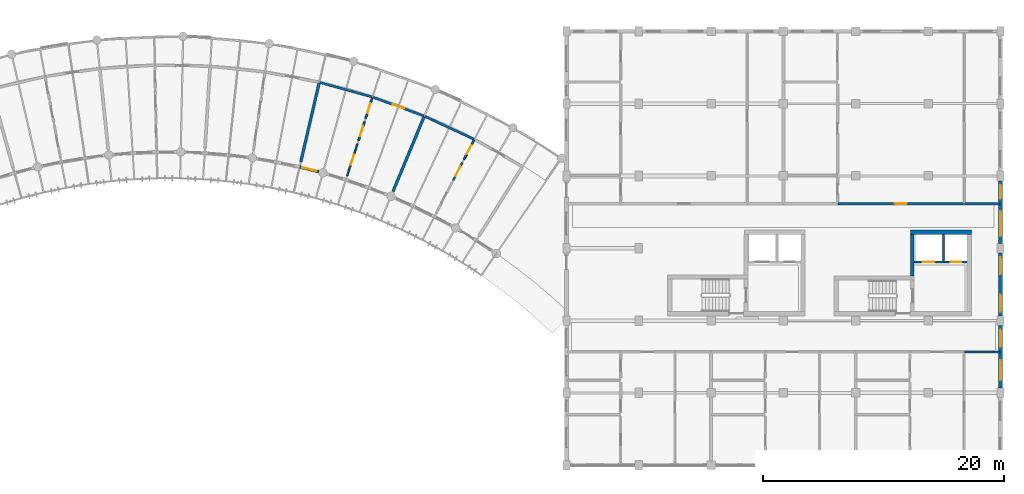
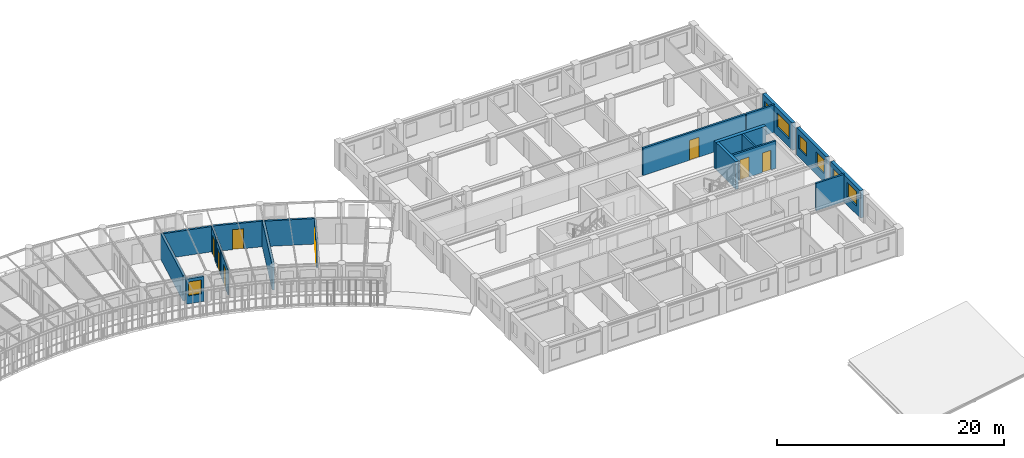
# One storey, part 113 of 137: 21 walls, 9 doors, 7 windows, 16 openings.
"""IFC4 building model written with IfcOpenShell, lengths in metres."""

import ifcopenshell
import ifcopenshell.guid

model = None  # the IFC model being written
_history = None  # IfcOwnerHistory: only IFC2X3 demands one
_inside = {}  # id of a spatial element -> (the spatial element, [elements in it])
_under = {}  # id of a project, library or spatial element -> (it, [spatial elements below it])
_declared = {}  # id of a project -> (the project, [libraries it declares])
_typed = {}  # id of a type object -> (the type object, [elements of that type])
_made_of = {}  # id of a material, layer set ... -> (it, [elements and type objects made of it])


def new_model(schema):
    """Start an empty IFC model of exactly this schema.

    Asked for "IFC4X3", IfcOpenShell would pick the latest addendum, in which some entities
    have other attributes; the version numbers below select the first issue.
    IFC2X3 requires an IfcOwnerHistory on every rooted entity: one is made here for all.
    """
    global model, _history
    if schema == "IFC4X3":
        model = ifcopenshell.file(schema_version=(4, 3, 0, 0))
    else:
        model = ifcopenshell.file(schema=schema)
    _inside.clear()
    _under.clear()
    _declared.clear()
    _typed.clear()
    _made_of.clear()
    _history = None
    if model.schema == "IFC2X3":
        org = make("IfcOrganization", Name="unknown")
        user = make(
            "IfcPersonAndOrganization",
            ThePerson=make("IfcPerson", FamilyName="unknown"),
            TheOrganization=org,
        )
        app = make(
            "IfcApplication",
            ApplicationDeveloper=org,
            Version="unknown",
            ApplicationFullName="unknown",
            ApplicationIdentifier="unknown",
        )
        _history = make(
            "IfcOwnerHistory",
            OwningUser=user,
            OwningApplication=app,
            ChangeAction="ADDED",
            CreationDate=0,
        )
    return model


def make(cls, **values):
    """One entity of the class cls with the attributes given. An attribute that is None is left unset."""
    return model.create_entity(
        cls, **{name: value for name, value in values.items() if value is not None}
    )


def rooted(cls, **values):
    """An entity with a GlobalId (a new one), such as an element, a storey or a relation."""
    return make(cls, GlobalId=ifcopenshell.guid.new(), OwnerHistory=_history, **values)


def si_unit(unit_type, name, prefix=None):
    """IfcSIUnit, for example si_unit("LENGTHUNIT", "METRE", prefix="MILLI")."""
    return make("IfcSIUnit", UnitType=unit_type, Prefix=prefix, Name=name)


def assignment(units):
    """IfcUnitAssignment: the units of a project."""
    return None if units is None else make("IfcUnitAssignment", Units=units)


def point(xyz):
    """IfcCartesianPoint."""
    return None if xyz is None else make("IfcCartesianPoint", Coordinates=xyz)


def direction(xyz):
    """IfcDirection."""
    return None if xyz is None else make("IfcDirection", DirectionRatios=xyz)


def frame(location, z_axis=None, x_axis=None):
    """IfcAxis2Placement3D, a coordinate frame: its origin and axes. An axis left out is left unset."""
    return make(
        "IfcAxis2Placement3D",
        Location=point(location),
        Axis=direction(z_axis),
        RefDirection=direction(x_axis),
    )


def frame_2d(location, x_axis=None):
    """IfcAxis2Placement2D, a coordinate frame in the plane: its origin and x axis."""
    return make(
        "IfcAxis2Placement2D", Location=point(location), RefDirection=direction(x_axis)
    )


def origin():
    """The frame at (0, 0, 0) with its axes left unset."""
    return frame((0.0, 0.0, 0.0))


def place(relative_to, where):
    """IfcLocalPlacement: puts the frame where relative to a parent placement (None: the world)."""
    return make(
        "IfcLocalPlacement", PlacementRelTo=relative_to, RelativePlacement=where
    )


def context(
    kind, dimensions, precision=None, world=None, true_north=None, identifier=None
):
    """IfcGeometricRepresentationContext, for example the 3D "Model" context."""
    return make(
        "IfcGeometricRepresentationContext",
        ContextIdentifier=identifier,
        ContextType=kind,
        CoordinateSpaceDimension=dimensions,
        Precision=precision,
        WorldCoordinateSystem=world,
        TrueNorth=true_north,
    )


def subcontext(parent, identifier, kind, view, scale=None):
    """IfcGeometricRepresentationSubContext, for example "Body" below "Model"."""
    return make(
        "IfcGeometricRepresentationSubContext",
        ContextIdentifier=identifier,
        ContextType=kind,
        ParentContext=parent,
        TargetScale=scale,
        TargetView=view,
    )


def project(units=None, contexts=None):
    """IfcProject with its units and contexts."""
    return rooted(
        "IfcProject",
        Name="project",
        RepresentationContexts=contexts,
        UnitsInContext=assignment(units),
    )


def spatial(cls, under=None, at=None, **own):
    """A site, building, storey or space (cls), placed at a placement, below another one or the project."""
    s = rooted(cls, ObjectPlacement=at, **own)
    if under is not None:
        _under.setdefault(under.id(), (under, []))[1].append(s)
    return s


def profile(cls, at=None, kind="AREA", **sizes):
    """A parametric profile (cls). Its sizes go by their IFC names, for example OverallWidth=200.0."""
    return make(cls, ProfileType=kind, Position=at, **sizes)


def rectangle(**sizes):
    """IfcRectangleProfileDef."""
    return profile("IfcRectangleProfileDef", **sizes)


def extrude(swept, where, along, depth):
    """IfcExtrudedAreaSolid: the profile swept, set in the frame where, extruded along a direction by depth."""
    return make(
        "IfcExtrudedAreaSolid",
        SweptArea=swept,
        Position=where,
        ExtrudedDirection=direction(along),
        Depth=depth,
    )


def shape(context_of_items, identifier, shape_type, items):
    """IfcShapeRepresentation: the items that make up one representation, for example the "Body"."""
    return make(
        "IfcShapeRepresentation",
        ContextOfItems=context_of_items,
        RepresentationIdentifier=identifier,
        RepresentationType=shape_type,
        Items=items,
    )


def material(Name=None, Category=None):
    """IfcMaterial."""
    return make("IfcMaterial", Name=Name, Category=Category)


def layer(
    of_material, thickness, ventilated=None, Name=None, Category=None, Priority=None
):
    """IfcMaterialLayer: one layer of a wall or slab, of a material (None: an air gap)."""
    return make(
        "IfcMaterialLayer",
        Material=of_material,
        LayerThickness=thickness,
        IsVentilated=ventilated,
        Name=Name,
        Category=Category,
        Priority=Priority,
    )


def layer_set(layers, Name=None):
    """IfcMaterialLayerSet."""
    return make("IfcMaterialLayerSet", MaterialLayers=layers, LayerSetName=Name)


def made_of(thing, what):
    """Note that an element or type object is made of a material, layer set ...; save() writes the relation."""
    if what is not None:
        _made_of.setdefault(what.id(), (what, []))[1].append(thing)
    return thing


def type_object(cls, material=None, **own):
    """A type object (cls), such as IfcWallType, which elements share."""
    return made_of(rooted(cls, **own), material)


def element(
    cls,
    number,
    at=None,
    inside=None,
    cuts=None,
    type_object=None,
    material=None,
    context=None,
    identifier="Body",
    shape_type=None,
    held_by="IfcProductDefinitionShape",
    body=None,
    shapes=None,
    **own,
):
    """One element of the class cls, such as IfcWall. Its Tag is "e" and its number.

    at: its placement. inside: the storey or other place that contains it. cuts: it is an
    opening in that element (IfcRelVoidsElement). A single representation is given by context,
    identifier, shape_type and body (its items); several are given by shapes. held_by: the class
    of the entity that holds the representations. save() writes the other relations.
    """
    e = rooted(cls, Tag="e%d" % number, ObjectPlacement=at, **own)
    if body is not None:
        shapes = [shape(context, identifier, shape_type, body)]
    if shapes is not None:
        e.Representation = make(held_by, Representations=shapes)
    if inside is not None:
        _inside.setdefault(inside.id(), (inside, []))[1].append(e)
    if cuts is not None:
        rooted(
            "IfcRelVoidsElement", RelatingBuildingElement=cuts, RelatedOpeningElement=e
        )
    if type_object is not None:
        _typed.setdefault(type_object.id(), (type_object, []))[1].append(e)
    return made_of(e, material)


def fill(opening, filler):
    """IfcRelFillsElement: the door or window that sits in an opening."""
    return rooted(
        "IfcRelFillsElement",
        RelatingOpeningElement=opening,
        RelatedBuildingElement=filler,
    )


def aggregate(whole, parts):
    """IfcRelAggregates: a whole, such as a stair, and the parts it consists of."""
    return rooted("IfcRelAggregates", RelatingObject=whole, RelatedObjects=parts)


def save(model, path):
    """Write the relations noted so far, then the file.

    IfcRelAggregates (storeys below a building ...), IfcRelContainedInSpatialStructure (elements
    in a storey), IfcRelDefinesByType, IfcRelAssociatesMaterial and IfcRelDeclares: one each for
    every whole, place, type object, material and project.
    """
    for whole, parts in _under.values():
        aggregate(whole, parts)
    for where, things in _inside.values():
        rooted(
            "IfcRelContainedInSpatialStructure",
            RelatedElements=things,
            RelatingStructure=where,
        )
    for kind, things in _typed.values():
        rooted("IfcRelDefinesByType", RelatedObjects=things, RelatingType=kind)
    for what, things in _made_of.values():
        rooted("IfcRelAssociatesMaterial", RelatedObjects=things, RelatingMaterial=what)
    for by, libraries in _declared.values():
        rooted("IfcRelDeclares", RelatingContext=by, RelatedDefinitions=libraries)
    model.write(path)


model = new_model("IFC4")

# Units and contexts
model_context = context("Model", 3, precision=1e-05, world=origin(), true_north=direction((0.0, 1.0)))
body_context = subcontext(model_context, "Body", "Model", "MODEL_VIEW")
ifc_project = project(units=[si_unit("LENGTHUNIT", "METRE"), si_unit("AREAUNIT", "SQUARE_METRE"), si_unit("VOLUMEUNIT", "CUBIC_METRE"), si_unit("PLANEANGLEUNIT", "RADIAN"), si_unit("MASSUNIT", "GRAM", prefix="KILO"), si_unit("POWERUNIT", "WATT"), si_unit("THERMODYNAMICTEMPERATUREUNIT", "KELVIN")], contexts=[model_context])

# Site, building, storey
site_placement = place(None, origin())
site = spatial("IfcSite", under=ifc_project, at=site_placement, CompositionType="ELEMENT")
building_placement = place(site_placement, origin())
building = spatial("IfcBuilding", under=site, at=building_placement, Name="Ruvembo Vaulted Housing Court", CompositionType="ELEMENT")
storey_placement = place(building_placement, frame((0.0, 0.0, 4.5)))
storey = spatial("IfcBuildingStorey", under=building, at=storey_placement, Name="L01", CompositionType="ELEMENT", Elevation=4.5)

# Walls
ifc_material_1 = material(Name="Concrete C35/45", Category="concrete")
ifc_layer_1 = layer(ifc_material_1, 0.300048828125, Name="Concrete C35/45")
ifc_layer_set_1 = layer_set([ifc_layer_1], Name="Concrete C35/45")
wall_type_1 = type_object("IfcWallType", Name="WL-CORE-300", PredefinedType="SHEAR", material=ifc_layer_set_1)
wall_1_placement = place(storey_placement, frame((178.699951171875, 87.699951171875, 0.0), z_axis=(0.0, 0.0, 1.0), x_axis=(0.0, 1.0, 0.0)))
element("IfcWall", 1, at=wall_1_placement, inside=storey, type_object=wall_type_1, Name="Core D2 L01 Upper West Shear Wall", PredefinedType="SHEAR", context=body_context, shape_type="SweptSolid", body=[
    extrude(rectangle(XDim=3.449951171875, YDim=0.300048828125, at=frame_2d((1.72509765625, 0.0))), origin(), (0.0, 0.0, 1.0), 2.945068359375),
])
ifc_layer_2 = layer(ifc_material_1, 0.35009765625, Name="Concrete C35/45")
ifc_layer_set_2 = layer_set([ifc_layer_2], Name="Concrete C35/45")
wall_type_2 = type_object("IfcWallType", Name="WL-CORE-350", PredefinedType="SHEAR", material=ifc_layer_set_2)
wall_2_placement = place(storey_placement, frame((183.60009765625, 91.324951171875, 0.0), z_axis=(0.0, 0.0, 1.0), x_axis=(-1.0, 0.0, 0.0)))
element("IfcWall", 2, at=wall_2_placement, inside=storey, type_object=wall_type_2, Name="Core D2 L01 North Shear Wall", PredefinedType="SHEAR", context=body_context, shape_type="SweptSolid", body=[
    extrude(rectangle(XDim=5.050048828125, YDim=0.35009765625, at=frame_2d((2.52490234375, 0.0))), origin(), (0.0, 0.0, 1.0), 2.945068359375),
])
ifc_material_2 = material(Name="Concrete Blockwork 190", Category="masonry")
ifc_layer_3 = layer(ifc_material_2, 0.18994140625, Name="Concrete Blockwork 190")
ifc_layer_set_3 = layer_set([ifc_layer_3], Name="Concrete Blockwork 190")
wall_type_3 = type_object("IfcWallType", Name="WL-CORR-190", PredefinedType="SOLIDWALL", material=ifc_layer_set_3)
wall_3_placement = place(storey_placement, frame((183.0400390625, 81.39990234375, 0.0), z_axis=(0.0, 0.0, 1.0), x_axis=(1.0, 0.0, 0.0)))
element("IfcWall", 3, at=wall_3_placement, inside=storey, type_object=wall_type_3, Name="L01 Flat D-L01-S3 Corridor Wall 2 WL-INT-L01-00349", PredefinedType="SOLIDWALL", context=body_context, shape_type="SweptSolid", body=[
    extrude(rectangle(XDim=2.919921875, YDim=0.18994140625, at=frame_2d((1.4599609375, 0.0))), origin(), (0.0, 0.0, 1.0), 2.945068359375),
])

# Wall, opening, door
wall_4_placement = place(storey_placement, frame((172.5400390625, 93.699951171875, 0.0), z_axis=(0.0, 0.0, 1.0), x_axis=(1.0, 0.0, 0.0)))
wall_4 = element("IfcWall", 4, at=wall_4_placement, inside=storey, type_object=wall_type_3, Name="L01 Flat D-L01-N2 Entrance WL-INT-L01-00362", PredefinedType="SOLIDWALL", context=body_context, shape_type="SweptSolid", body=[
    extrude(rectangle(XDim=10.419921875, YDim=0.18994140625, at=frame_2d((5.2099609375, 0.0))), origin(), (0.0, 0.0, 1.0), 2.945068359375),
])
opening_1_placement = place(wall_4_placement, frame((4.7099609375, 0.0, 0.0)))
opening_1 = element("IfcOpeningElement", 5, at=opening_1_placement, cuts=wall_4, Name="Opening FD1", PredefinedType="OPENING", context=body_context, shape_type="SweptSolid", body=[
    extrude(rectangle(XDim=1.0, YDim=2.14990234375, at=frame_2d((0.5, 1.074951171875))), frame((0.0, 0.10498046875, 0.0), z_axis=(0.0, -1.0, 0.0), x_axis=(1.0, 0.0, 0.0)), (0.0, 0.0, 1.0), 0.2099609375),
])
ifc_material_3 = material(Name="FSC Hardwood and Engineered Timber", Category="wood")
door_type_1 = type_object("IfcDoorType", Name="DR-FLAT-1000x2150", OperationType="NOTDEFINED", PredefinedType="DOOR", material=ifc_material_3)
door_1_placement = place(opening_1_placement, origin())
door_1 = element("IfcDoor", 6, at=door_1_placement, inside=storey, type_object=door_type_1, Name="L01 Flat D-L01-N2 Entrance Door DR-INT-L01-00183", OperationType="SINGLE_SWING_LEFT", OverallHeight=2.14990234375, OverallWidth=1.0, PredefinedType="DOOR", context=body_context, shape_type="SweptSolid", body=[
    extrude(rectangle(XDim=1.0, YDim=2.14990234375, at=frame_2d((0.5, 1.074951171875))), frame((0.0, 0.02490234375, 0.0), z_axis=(0.0, -1.0, 0.0), x_axis=(1.0, 0.0, 0.0)), (0.0, 0.0, 1.0), 0.050048828125),
])
fill(opening_1, door_1)

# Walls
wall_5_placement = place(storey_placement, frame((183.0400390625, 93.699951171875, 0.0), z_axis=(0.0, 0.0, 1.0), x_axis=(1.0, 0.0, 0.0)))
element("IfcWall", 7, at=wall_5_placement, inside=storey, type_object=wall_type_3, Name="L01 Flat D-L01-N2 Corridor Wall 2 WL-INT-L01-00368", PredefinedType="SOLIDWALL", context=body_context, shape_type="SweptSolid", body=[
    extrude(rectangle(XDim=2.919921875, YDim=0.18994140625, at=frame_2d((1.4599609375, 0.0))), origin(), (0.0, 0.0, 1.0), 2.945068359375),
])
wall_6_placement = place(storey_placement, frame((129.531982421875, 103.7568359375, 0.0), z_axis=(0.0, 0.0, 1.0), x_axis=(0.963830390038, -0.266516377055, 0.0)))
element("IfcWall", 8, at=wall_6_placement, inside=storey, type_object=wall_type_3, Name="L01 Suite SC3-L01-U6 Gallery Wall WL-INT-L01-00470", PredefinedType="SOLIDWALL", context=body_context, shape_type="SweptSolid", body=[
    extrude(rectangle(XDim=4.50146484375, YDim=0.18994140625, at=frame_2d((2.250732421875, 0.0))), origin(), (0.0, 0.0, 1.0), 2.721923828125),
])

# Wall, opening, door
wall_7_placement = place(storey_placement, frame((133.946533203125, 102.53271484375, 0.0), z_axis=(0.0, 0.0, 1.0), x_axis=(0.93839218154, -0.345572154006, 0.0)))
wall_7 = element("IfcWall", 9, at=wall_7_placement, inside=storey, type_object=wall_type_3, Name="L01 Suite SC3-L01-U6 Entrance WL-INT-L01-00471", PredefinedType="SOLIDWALL", context=body_context, shape_type="SweptSolid", body=[
    extrude(rectangle(XDim=4.501708984375, YDim=0.18994140625, at=frame_2d((2.2509765625, 0.0))), origin(), (0.0, 0.0, 1.0), 2.761962890625),
])
opening_2_placement = place(wall_7_placement, frame((1.7607421875, 0.0, 0.0)))
opening_2 = element("IfcOpeningElement", 10, at=opening_2_placement, cuts=wall_7, Name="Opening FD2", PredefinedType="OPENING", context=body_context, shape_type="SweptSolid", body=[
    extrude(rectangle(XDim=0.97998046875, YDim=2.14990234375, at=frame_2d((0.489990234375, 1.074951171875))), frame((0.0, 0.10498046875, 0.0), z_axis=(0.0, -1.0, 0.0), x_axis=(1.0, 0.0, 0.0)), (0.0, 0.0, 1.0), 0.2099609375),
])
door_type_2 = type_object("IfcDoorType", Name="DR-FLAT-0980x2150", OperationType="NOTDEFINED", PredefinedType="DOOR", material=ifc_material_3)
door_2_placement = place(opening_2_placement, origin())
door_2 = element("IfcDoor", 11, at=door_2_placement, inside=storey, type_object=door_type_2, Name="L01 Suite SC3-L01-U6 Entrance Door DR-INT-L01-00256", OperationType="SINGLE_SWING_RIGHT", OverallHeight=2.14990234375, OverallWidth=0.97998046875, PredefinedType="DOOR", context=body_context, shape_type="SweptSolid", body=[
    extrude(rectangle(XDim=0.97998046875, YDim=2.14990234375, at=frame_2d((0.489990234375, 1.074951171875))), frame((0.0, 0.02490234375, 0.0), z_axis=(0.0, -1.0, 0.0), x_axis=(1.0, 0.0, 0.0)), (0.0, 0.0, 1.0), 0.050048828125),
])
fill(opening_2, door_2)

# Walls
wall_8_placement = place(storey_placement, frame((138.24462890625, 100.9462890625, 0.0), z_axis=(0.0, 0.0, 1.0), x_axis=(0.906512639591, -0.422178675755, 0.0)))
element("IfcWall", 12, at=wall_8_placement, inside=storey, type_object=wall_type_3, Name="L01 Suite SC3-L01-U7 Gallery Wall WL-INT-L01-00476", PredefinedType="SOLIDWALL", context=body_context, shape_type="SweptSolid", body=[
    extrude(rectangle(XDim=4.50146484375, YDim=0.18994140625, at=frame_2d((2.250732421875, 0.0))), origin(), (0.0, 0.0, 1.0), 2.741943359375),
])
ifc_material_4 = material(Name="Acoustic Masonry Demising 230", Category="masonry")
ifc_layer_4 = layer(ifc_material_4, 0.22998046875, Name="Acoustic Masonry Demising 230")
ifc_layer_set_4 = layer_set([ifc_layer_4], Name="Acoustic Masonry Demising 230")
wall_type_4 = type_object("IfcWallType", Name="WL-DEM-230", PredefinedType="SOLIDWALL", material=ifc_layer_set_4)
wall_9_placement = place(storey_placement, frame((127.959716796875, 97.16748046875, 0.0), z_axis=(0.0, 0.0, 1.0), x_axis=(0.226349561734, 0.974046136434, 0.0)))
element("IfcWall", 13, at=wall_9_placement, inside=storey, type_object=wall_type_4, Name="L01 Suite SC3-L01-U5 Demising WL-INT-L01-00469", PredefinedType="SOLIDWALL", context=body_context, shape_type="SweptSolid", body=[
    extrude(rectangle(XDim=6.73583984375, YDim=0.22998046875, at=frame_2d((3.367919921875, 0.0))), origin(), (0.0, 0.0, 1.0), 2.761962890625),
])
wall_10_placement = place(storey_placement, frame((135.60498046875, 94.707275390625, 0.0), z_axis=(0.0, 0.0, 1.0), x_axis=(0.384190705314, 0.923253758157, 0.0)))
element("IfcWall", 14, at=wall_10_placement, inside=storey, type_object=wall_type_4, Name="L01 Suite SC3-L01-U6 Demising WL-INT-L01-00475", PredefinedType="SOLIDWALL", context=body_context, shape_type="SweptSolid", body=[
    extrude(rectangle(XDim=6.73583984375, YDim=0.22998046875, at=frame_2d((3.367919921875, 0.0))), origin(), (0.0, 0.0, 1.0), 2.721923828125),
])

# Wall, opening, window
ifc_material_5 = material(Name="Rendered Masonry 235", Category="masonry")
ifc_layer_5 = layer(ifc_material_5, 0.235107421875, Name="Rendered Masonry 235")
ifc_layer_set_5 = layer_set([ifc_layer_5], Name="Rendered Masonry 235")
wall_type_5 = type_object("IfcWallType", Name="WL-EXT-235", PredefinedType="STANDARD", material=ifc_layer_set_5)
wall_11_placement = place(storey_placement, frame((127.88330078125, 96.74951171875, 0.0), z_axis=(0.0, 0.0, 1.0), x_axis=(0.969142943716, -0.246499400902, 0.0)))
wall_11 = element("IfcWall", 15, at=wall_11_placement, inside=storey, type_object=wall_type_5, Name="Scoop SC3 L01 Concave Balcony Wall 20", PredefinedType="STANDARD", context=body_context, shape_type="SweptSolid", body=[
    extrude(rectangle(XDim=1.622314453125, YDim=0.235107421875, at=frame_2d((0.81103515625, 0.0))), origin(), (0.0, 0.0, 1.0), 2.68408203125),
])
opening_3_placement = place(wall_11_placement, frame((0.211181640625, 0.0, 0.85009765625)))
opening_3 = element("IfcOpeningElement", 16, at=opening_3_placement, cuts=wall_11, Name="Opening W14", PredefinedType="OPENING", context=body_context, shape_type="SweptSolid", body=[
    extrude(rectangle(XDim=1.199951171875, YDim=1.5, at=frame_2d((0.60009765625, 0.75))), frame((0.0, 0.12744140625, 0.0), z_axis=(0.0, -1.0, 0.0), x_axis=(1.0, 0.0, 0.0)), (0.0, 0.0, 1.0), 0.255126953125),
])
ifc_material_6 = material(Name="Double Solar-Control Glazing in Aluminium Frame", Category="aluminium")
window_type_1 = type_object("IfcWindowType", Name="WIN-1200x1500", PartitioningType="SINGLE_PANEL", PredefinedType="WINDOW", material=ifc_material_6)
window_1_placement = place(opening_3_placement, origin())
window_1 = element("IfcWindow", 17, at=window_1_placement, inside=storey, type_object=window_type_1, Name="Scoop SC3 L01 Concave Window 20", OverallHeight=1.5, OverallWidth=1.199951171875, PartitioningType="SINGLE_PANEL", PredefinedType="WINDOW", context=body_context, shape_type="SweptSolid", body=[
    extrude(rectangle(XDim=1.199951171875, YDim=1.5, at=frame_2d((0.60009765625, 0.75))), frame((0.0, 0.030029296875, 0.0), z_axis=(0.0, -1.0, 0.0), x_axis=(1.0, 0.0, 0.0)), (0.0, 0.0, 1.0), 0.06005859375),
])
fill(opening_3, window_1)

# Wall, openings, windows
ifc_material_7 = material(Name="Rendered Masonry 320", Category="masonry")
ifc_layer_6 = layer(ifc_material_7, 0.320068359375, Name="Rendered Masonry 320")
ifc_layer_set_6 = layer_set([ifc_layer_6], Name="Rendered Masonry 320")
wall_type_6 = type_object("IfcWallType", Name="WL-EXT-320", PredefinedType="STANDARD", material=ifc_layer_set_6)
wall_12_placement = place(storey_placement, frame((186.0, 78.39990234375, 0.0), z_axis=(0.0, 0.0, 1.0), x_axis=(0.0, 1.0, 0.0)))
wall_12 = element("IfcWall", 18, at=wall_12_placement, inside=storey, type_object=wall_type_6, Name="Block D L01 Exterior Wall EAST #2", PredefinedType="STANDARD", context=body_context, shape_type="SweptSolid", body=[
    extrude(rectangle(XDim=5.2001953125, YDim=0.320068359375, at=frame_2d((2.60009765625, 0.0))), origin(), (0.0, 0.0, 1.0), 2.945068359375),
])
opening_4_placement = place(wall_12_placement, frame((0.6298828125, 0.0, 0.89990234375)))
opening_4 = element("IfcOpeningElement", 19, at=opening_4_placement, cuts=wall_12, Name="Opening W21", PredefinedType="OPENING", context=body_context, shape_type="SweptSolid", body=[
    extrude(rectangle(XDim=1.699951171875, YDim=1.550048828125, at=frame_2d((0.85009765625, 0.77490234375))), frame((0.0, 0.169921875, 0.0), z_axis=(0.0, -1.0, 0.0), x_axis=(1.0, 0.0, 0.0)), (0.0, 0.0, 1.0), 0.340087890625),
])
opening_5_placement = place(wall_12_placement, frame((3.419921875, 0.0, 0.89990234375)))
opening_5 = element("IfcOpeningElement", 20, at=opening_5_placement, cuts=wall_12, Name="Opening W17", PredefinedType="OPENING", context=body_context, shape_type="SweptSolid", body=[
    extrude(rectangle(XDim=1.39990234375, YDim=1.5, at=frame_2d((0.699951171875, 0.75))), frame((0.0, 0.169921875, 0.0), z_axis=(0.0, -1.0, 0.0), x_axis=(1.0, 0.0, 0.0)), (0.0, 0.0, 1.0), 0.340087890625),
])
window_type_2 = type_object("IfcWindowType", Name="WIN-1400x1500", PartitioningType="SINGLE_PANEL", PredefinedType="WINDOW", material=ifc_material_6)
window_2_placement = place(opening_5_placement, origin())
window_2 = element("IfcWindow", 21, at=window_2_placement, inside=storey, type_object=window_type_2, Name="Block D L01 Window #1502", OverallHeight=1.5, OverallWidth=1.39990234375, PartitioningType="SINGLE_PANEL", PredefinedType="WINDOW", context=body_context, shape_type="SweptSolid", body=[
    extrude(rectangle(XDim=1.39990234375, YDim=1.5, at=frame_2d((0.699951171875, 0.75))), frame((0.0, 0.030029296875, 0.0), z_axis=(0.0, -1.0, 0.0), x_axis=(1.0, 0.0, 0.0)), (0.0, 0.0, 1.0), 0.06005859375),
])
fill(opening_5, window_2)
window_type_3 = type_object("IfcWindowType", Name="WIN-1700x1550", PartitioningType="SINGLE_PANEL", PredefinedType="WINDOW", material=ifc_material_6)
window_3_placement = place(opening_4_placement, origin())
window_3 = element("IfcWindow", 22, at=window_3_placement, inside=storey, type_object=window_type_3, Name="Block D L01 Window #1501", OverallHeight=1.550048828125, OverallWidth=1.699951171875, PartitioningType="SINGLE_PANEL", PredefinedType="WINDOW", context=body_context, shape_type="SweptSolid", body=[
    extrude(rectangle(XDim=1.699951171875, YDim=1.550048828125, at=frame_2d((0.85009765625, 0.77490234375))), frame((0.0, 0.030029296875, 0.0), z_axis=(0.0, -1.0, 0.0), x_axis=(1.0, 0.0, 0.0)), (0.0, 0.0, 1.0), 0.06005859375),
])
fill(opening_4, window_3)

wall_13_placement = place(storey_placement, frame((186.0, 84.39990234375, 0.0), z_axis=(0.0, 0.0, 1.0), x_axis=(0.0, 1.0, 0.0)))
wall_13 = element("IfcWall", 23, at=wall_13_placement, inside=storey, type_object=wall_type_6, Name="Block D L01 Exterior Wall EAST #3", PredefinedType="STANDARD", context=body_context, shape_type="SweptSolid", body=[
    extrude(rectangle(XDim=5.2001953125, YDim=0.320068359375, at=frame_2d((2.60009765625, 0.0))), origin(), (0.0, 0.0, 1.0), 2.945068359375),
])
opening_6_placement = place(wall_13_placement, frame((0.35009765625, 0.0, 0.89990234375)))
opening_6 = element("IfcOpeningElement", 24, at=opening_6_placement, cuts=wall_13, Name="Opening W17", PredefinedType="OPENING", context=body_context, shape_type="SweptSolid", body=[
    extrude(rectangle(XDim=1.39990234375, YDim=1.5, at=frame_2d((0.699951171875, 0.75))), frame((0.0, 0.169921875, 0.0), z_axis=(0.0, -1.0, 0.0), x_axis=(1.0, 0.0, 0.0)), (0.0, 0.0, 1.0), 0.340087890625),
])
opening_7_placement = place(wall_13_placement, frame((3.449951171875, 0.0, 0.89990234375)))
opening_7 = element("IfcOpeningElement", 25, at=opening_7_placement, cuts=wall_13, Name="Opening W17", PredefinedType="OPENING", context=body_context, shape_type="SweptSolid", body=[
    extrude(rectangle(XDim=1.39990234375, YDim=1.5, at=frame_2d((0.699951171875, 0.75))), frame((0.0, 0.169921875, 0.0), z_axis=(0.0, -1.0, 0.0), x_axis=(1.0, 0.0, 0.0)), (0.0, 0.0, 1.0), 0.340087890625),
])
window_4_placement = place(opening_6_placement, origin())
window_4 = element("IfcWindow", 26, at=window_4_placement, inside=storey, type_object=window_type_2, Name="Block D L01 Window #1503", OverallHeight=1.5, OverallWidth=1.39990234375, PartitioningType="SINGLE_PANEL", PredefinedType="WINDOW", context=body_context, shape_type="SweptSolid", body=[
    extrude(rectangle(XDim=1.39990234375, YDim=1.5, at=frame_2d((0.699951171875, 0.75))), frame((0.0, 0.030029296875, 0.0), z_axis=(0.0, -1.0, 0.0), x_axis=(1.0, 0.0, 0.0)), (0.0, 0.0, 1.0), 0.06005859375),
])
fill(opening_6, window_4)
window_5_placement = place(opening_7_placement, origin())
window_5 = element("IfcWindow", 27, at=window_5_placement, inside=storey, type_object=window_type_2, Name="Block D L01 Window #1504", OverallHeight=1.5, OverallWidth=1.39990234375, PartitioningType="SINGLE_PANEL", PredefinedType="WINDOW", context=body_context, shape_type="SweptSolid", body=[
    extrude(rectangle(XDim=1.39990234375, YDim=1.5, at=frame_2d((0.699951171875, 0.75))), frame((0.0, 0.030029296875, 0.0), z_axis=(0.0, -1.0, 0.0), x_axis=(1.0, 0.0, 0.0)), (0.0, 0.0, 1.0), 0.06005859375),
])
fill(opening_7, window_5)

wall_14_placement = place(storey_placement, frame((186.0, 90.39990234375, 0.0), z_axis=(0.0, 0.0, 1.0), x_axis=(0.0, 1.0, 0.0)))
wall_14 = element("IfcWall", 28, at=wall_14_placement, inside=storey, type_object=wall_type_6, Name="Block D L01 Exterior Wall EAST #4", PredefinedType="STANDARD", context=body_context, shape_type="SweptSolid", body=[
    extrude(rectangle(XDim=5.2001953125, YDim=0.320068359375, at=frame_2d((2.60009765625, 0.0))), origin(), (0.0, 0.0, 1.0), 2.945068359375),
])
opening_8_placement = place(wall_14_placement, frame((0.580078125, 0.0, 0.89990234375)))
opening_8 = element("IfcOpeningElement", 29, at=opening_8_placement, cuts=wall_14, Name="Opening W25", PredefinedType="OPENING", context=body_context, shape_type="SweptSolid", body=[
    extrude(rectangle(XDim=2.10009765625, YDim=1.550048828125, at=frame_2d((1.050048828125, 0.77490234375))), frame((0.0, 0.169921875, 0.0), z_axis=(0.0, -1.0, 0.0), x_axis=(1.0, 0.0, 0.0)), (0.0, 0.0, 1.0), 0.340087890625),
])
opening_9_placement = place(wall_14_placement, frame((3.695068359375, 0.0, 0.89990234375)))
opening_9 = element("IfcOpeningElement", 30, at=opening_9_placement, cuts=wall_14, Name="Opening W11", PredefinedType="OPENING", context=body_context, shape_type="SweptSolid", body=[
    extrude(rectangle(XDim=1.14990234375, YDim=1.449951171875, at=frame_2d((0.574951171875, 0.72509765625))), frame((0.0, 0.169921875, 0.0), z_axis=(0.0, -1.0, 0.0), x_axis=(1.0, 0.0, 0.0)), (0.0, 0.0, 1.0), 0.340087890625),
])
window_type_4 = type_object("IfcWindowType", Name="WIN-1150x1450", PartitioningType="SINGLE_PANEL", PredefinedType="WINDOW", material=ifc_material_6)
window_6_placement = place(opening_9_placement, origin())
window_6 = element("IfcWindow", 31, at=window_6_placement, inside=storey, type_object=window_type_4, Name="Block D L01 Window #1506", OverallHeight=1.449951171875, OverallWidth=1.14990234375, PartitioningType="SINGLE_PANEL", PredefinedType="WINDOW", context=body_context, shape_type="SweptSolid", body=[
    extrude(rectangle(XDim=1.14990234375, YDim=1.449951171875, at=frame_2d((0.574951171875, 0.72509765625))), frame((0.0, 0.030029296875, 0.0), z_axis=(0.0, -1.0, 0.0), x_axis=(1.0, 0.0, 0.0)), (0.0, 0.0, 1.0), 0.06005859375),
])
fill(opening_9, window_6)
window_type_5 = type_object("IfcWindowType", Name="WIN-2100x1550", PartitioningType="SINGLE_PANEL", PredefinedType="WINDOW", material=ifc_material_6)
window_7_placement = place(opening_8_placement, origin())
window_7 = element("IfcWindow", 32, at=window_7_placement, inside=storey, type_object=window_type_5, Name="Block D L01 Window #1505", OverallHeight=1.550048828125, OverallWidth=2.10009765625, PartitioningType="SINGLE_PANEL", PredefinedType="WINDOW", context=body_context, shape_type="SweptSolid", body=[
    extrude(rectangle(XDim=2.10009765625, YDim=1.550048828125, at=frame_2d((1.050048828125, 0.77490234375))), frame((0.0, 0.030029296875, 0.0), z_axis=(0.0, -1.0, 0.0), x_axis=(1.0, 0.0, 0.0)), (0.0, 0.0, 1.0), 0.06005859375),
])
fill(opening_8, window_7)

# Wall, opening, door
ifc_material_8 = material(Name="Plasterboard Stud Partition 125", Category="gypsum")
ifc_layer_7 = layer(ifc_material_8, 0.125, Name="Plasterboard Stud Partition 125")
ifc_layer_set_7 = layer_set([ifc_layer_7], Name="Plasterboard Stud Partition 125")
wall_type_7 = type_object("IfcWallType", Name="WL-PART-125", PredefinedType="PARTITIONING", material=ifc_layer_set_7)
wall_15_placement = place(storey_placement, frame((131.80419921875, 96.0048828125, 0.0), z_axis=(0.0, 0.0, 1.0), x_axis=(0.306243449584, 0.951953228676, 0.0)))
wall_15 = element("IfcWall", 33, at=wall_15_placement, inside=storey, type_object=wall_type_7, Name="L01 Suite SC3-L01-U6 Bedroom WL-INT-L01-00472", PredefinedType="PARTITIONING", context=body_context, shape_type="SweptSolid", body=[
    extrude(rectangle(XDim=2.7998046875, YDim=0.125, at=frame_2d((1.39990234375, 0.0))), origin(), (0.0, 0.0, 1.0), 2.741943359375),
])
opening_10_placement = place(wall_15_placement, frame((0.9599609375, 0.0, 0.0)))
opening_10 = element("IfcOpeningElement", 34, at=opening_10_placement, cuts=wall_15, Name="Opening ID3", PredefinedType="OPENING", context=body_context, shape_type="SweptSolid", body=[
    extrude(rectangle(XDim=0.8798828125, YDim=2.10009765625, at=frame_2d((0.43994140625, 1.050048828125))), frame((0.0, 0.072509765625, 0.0), z_axis=(0.0, -1.0, 0.0), x_axis=(1.0, 0.0, 0.0)), (0.0, 0.0, 1.0), 0.14501953125),
])
door_type_3 = type_object("IfcDoorType", Name="DR-ROOM-0880x2100", OperationType="NOTDEFINED", PredefinedType="DOOR", material=ifc_material_3)
door_3_placement = place(opening_10_placement, origin())
door_3 = element("IfcDoor", 35, at=door_3_placement, inside=storey, type_object=door_type_3, Name="L01 Suite SC3-L01-U6 Bedroom Door DR-INT-L01-00257", OperationType="SINGLE_SWING_LEFT", OverallHeight=2.10009765625, OverallWidth=0.8798828125, PredefinedType="DOOR", context=body_context, shape_type="SweptSolid", body=[
    extrude(rectangle(XDim=0.8798828125, YDim=2.10009765625, at=frame_2d((0.43994140625, 1.050048828125))), frame((0.0, 0.02490234375, 0.0), z_axis=(0.0, -1.0, 0.0), x_axis=(1.0, 0.0, 0.0)), (0.0, 0.0, 1.0), 0.050048828125),
])
fill(opening_10, door_3)

ifc_material_9 = material(Name="Moisture-Resistant Wet Partition 150", Category="gypsum")
ifc_layer_8 = layer(ifc_material_9, 0.14990234375, Name="Moisture-Resistant Wet Partition 150")
ifc_layer_set_8 = layer_set([ifc_layer_8], Name="Moisture-Resistant Wet Partition 150")
wall_type_8 = type_object("IfcWallType", Name="WL-PART-150", PredefinedType="PARTITIONING", material=ifc_layer_set_8)
wall_16_placement = place(storey_placement, frame((133.333251953125, 100.7568359375, 0.0), z_axis=(0.0, 0.0, 1.0), x_axis=(0.306258297612, 0.951948451936, 0.0)))
wall_16 = element("IfcWall", 36, at=wall_16_placement, inside=storey, type_object=wall_type_8, Name="L01 Suite SC3-L01-U6 Bathroom WL-INT-L01-00474", PredefinedType="PARTITIONING", context=body_context, shape_type="SweptSolid", body=[
    extrude(rectangle(XDim=1.83984375, YDim=0.14990234375, at=frame_2d((0.919921875, 0.0))), origin(), (0.0, 0.0, 1.0), 2.741943359375),
])
opening_11_placement = place(wall_16_placement, frame((0.4951171875, 0.0, 0.0)))
opening_11 = element("IfcOpeningElement", 37, at=opening_11_placement, cuts=wall_16, Name="Opening ID2", PredefinedType="OPENING", context=body_context, shape_type="SweptSolid", body=[
    extrude(rectangle(XDim=0.85009765625, YDim=2.10009765625, at=frame_2d((0.425048828125, 1.050048828125))), frame((0.0, 0.0849609375, 0.0), z_axis=(0.0, -1.0, 0.0), x_axis=(1.0, 0.0, 0.0)), (0.0, 0.0, 1.0), 0.169921875),
])
door_type_4 = type_object("IfcDoorType", Name="DR-WET-0850x2100", OperationType="NOTDEFINED", PredefinedType="DOOR", material=ifc_material_3)
door_4_placement = place(opening_11_placement, origin())
door_4 = element("IfcDoor", 38, at=door_4_placement, inside=storey, type_object=door_type_4, Name="L01 Suite SC3-L01-U6 Bathroom Door DR-INT-L01-00259", OperationType="SINGLE_SWING_LEFT", OverallHeight=2.10009765625, OverallWidth=0.85009765625, PredefinedType="DOOR", context=body_context, shape_type="SweptSolid", body=[
    extrude(rectangle(XDim=0.85009765625, YDim=2.10009765625, at=frame_2d((0.425048828125, 1.050048828125))), frame((0.0, 0.02490234375, 0.0), z_axis=(0.0, -1.0, 0.0), x_axis=(1.0, 0.0, 0.0)), (0.0, 0.0, 1.0), 0.050048828125),
])
fill(opening_11, door_4)

wall_17_placement = place(storey_placement, frame((141.497802734375, 97.359130859375, 0.0), z_axis=(0.0, 0.0, 1.0), x_axis=(0.459379600499, 0.888240047873, 0.0)))
wall_17 = element("IfcWall", 39, at=wall_17_placement, inside=storey, type_object=wall_type_8, Name="L01 Suite SC3-L01-U7 Bathroom WL-INT-L01-00480", PredefinedType="PARTITIONING", context=body_context, shape_type="SweptSolid", body=[
    extrude(rectangle(XDim=1.83984375, YDim=0.14990234375, at=frame_2d((0.919921875, 0.0))), origin(), (0.0, 0.0, 1.0), 2.761962890625),
])
opening_12_placement = place(wall_17_placement, frame((0.4951171875, 0.0, 0.0)))
opening_12 = element("IfcOpeningElement", 40, at=opening_12_placement, cuts=wall_17, Name="Opening ID2", PredefinedType="OPENING", context=body_context, shape_type="SweptSolid", body=[
    extrude(rectangle(XDim=0.85009765625, YDim=2.10009765625, at=frame_2d((0.425048828125, 1.050048828125))), frame((0.0, 0.0849609375, 0.0), z_axis=(0.0, -1.0, 0.0), x_axis=(1.0, 0.0, 0.0)), (0.0, 0.0, 1.0), 0.169921875),
])
door_5_placement = place(opening_12_placement, origin())
door_5 = element("IfcDoor", 41, at=door_5_placement, inside=storey, type_object=door_type_4, Name="L01 Suite SC3-L01-U7 Bathroom Door DR-INT-L01-00263", OperationType="SINGLE_SWING_LEFT", OverallHeight=2.10009765625, OverallWidth=0.85009765625, PredefinedType="DOOR", context=body_context, shape_type="SweptSolid", body=[
    extrude(rectangle(XDim=0.85009765625, YDim=2.10009765625, at=frame_2d((0.425048828125, 1.050048828125))), frame((0.0, 0.02490234375, 0.0), z_axis=(0.0, -1.0, 0.0), x_axis=(1.0, 0.0, 0.0)), (0.0, 0.0, 1.0), 0.050048828125),
])
fill(opening_12, door_5)

ifc_material_10 = material(Name="Acoustic Service Chase Wall 160", Category="gypsum")
ifc_layer_9 = layer(ifc_material_10, 0.159912109375, Name="Acoustic Service Chase Wall 160")
ifc_layer_set_9 = layer_set([ifc_layer_9], Name="Acoustic Service Chase Wall 160")
wall_type_9 = type_object("IfcWallType", Name="WL-PLUMB-160", PredefinedType="PLUMBINGWALL", material=ifc_layer_set_9)
wall_18_placement = place(storey_placement, frame((132.7451171875, 98.92919921875, 0.0), z_axis=(0.0, 0.0, 1.0), x_axis=(0.306388026226, 0.95190670624, 0.0)))
wall_18 = element("IfcWall", 42, at=wall_18_placement, inside=storey, type_object=wall_type_9, Name="L01 Suite SC3-L01-U6 Kitchen WL-INT-L01-00473", PredefinedType="PLUMBINGWALL", context=body_context, shape_type="SweptSolid", body=[
    extrude(rectangle(XDim=1.64794921875, YDim=0.159912109375, at=frame_2d((0.823974609375, 0.0))), origin(), (0.0, 0.0, 1.0), 2.741943359375),
])
opening_13_placement = place(wall_18_placement, frame((0.3740234375, 0.0, 0.0)))
opening_13 = element("IfcOpeningElement", 43, at=opening_13_placement, cuts=wall_18, Name="Opening ID1", PredefinedType="OPENING", context=body_context, shape_type="SweptSolid", body=[
    extrude(rectangle(XDim=0.89990234375, YDim=2.10009765625, at=frame_2d((0.449951171875, 1.050048828125))), frame((0.0, 0.08984375, 0.0), z_axis=(0.0, -1.0, 0.0), x_axis=(1.0, 0.0, 0.0)), (0.0, 0.0, 1.0), 0.179931640625),
])
door_type_5 = type_object("IfcDoorType", Name="DR-ROOM-0900x2100", OperationType="NOTDEFINED", PredefinedType="DOOR", material=ifc_material_3)
door_6_placement = place(opening_13_placement, origin())
door_6 = element("IfcDoor", 44, at=door_6_placement, inside=storey, type_object=door_type_5, Name="L01 Suite SC3-L01-U6 Kitchen Door DR-INT-L01-00258", OperationType="SINGLE_SWING_RIGHT", OverallHeight=2.10009765625, OverallWidth=0.89990234375, PredefinedType="DOOR", context=body_context, shape_type="SweptSolid", body=[
    extrude(rectangle(XDim=0.89990234375, YDim=2.10009765625, at=frame_2d((0.449951171875, 1.050048828125))), frame((0.0, 0.02490234375, 0.0), z_axis=(0.0, -1.0, 0.0), x_axis=(1.0, 0.0, 0.0)), (0.0, 0.0, 1.0), 0.050048828125),
])
fill(opening_13, door_6)

wall_19_placement = place(storey_placement, frame((140.615478515625, 95.65380859375, 0.0), z_axis=(0.0, 0.0, 1.0), x_axis=(0.459495453195, 0.888180121649, 0.0)))
wall_19 = element("IfcWall", 45, at=wall_19_placement, inside=storey, type_object=wall_type_9, Name="L01 Suite SC3-L01-U7 Kitchen WL-INT-L01-00479", PredefinedType="PLUMBINGWALL", context=body_context, shape_type="SweptSolid", body=[
    extrude(rectangle(XDim=1.648193359375, YDim=0.159912109375, at=frame_2d((0.82421875, 0.0))), origin(), (0.0, 0.0, 1.0), 2.761962890625),
])
opening_14_placement = place(wall_19_placement, frame((0.3740234375, 0.0, 0.0)))
opening_14 = element("IfcOpeningElement", 46, at=opening_14_placement, cuts=wall_19, Name="Opening ID1", PredefinedType="OPENING", context=body_context, shape_type="SweptSolid", body=[
    extrude(rectangle(XDim=0.89990234375, YDim=2.10009765625, at=frame_2d((0.449951171875, 1.050048828125))), frame((0.0, 0.08984375, 0.0), z_axis=(0.0, -1.0, 0.0), x_axis=(1.0, 0.0, 0.0)), (0.0, 0.0, 1.0), 0.179931640625),
])
door_7_placement = place(opening_14_placement, origin())
door_7 = element("IfcDoor", 47, at=door_7_placement, inside=storey, type_object=door_type_5, Name="L01 Suite SC3-L01-U7 Kitchen Door DR-INT-L01-00262", OperationType="SINGLE_SWING_RIGHT", OverallHeight=2.10009765625, OverallWidth=0.89990234375, PredefinedType="DOOR", context=body_context, shape_type="SweptSolid", body=[
    extrude(rectangle(XDim=0.89990234375, YDim=2.10009765625, at=frame_2d((0.449951171875, 1.050048828125))), frame((0.0, 0.02490234375, 0.0), z_axis=(0.0, -1.0, 0.0), x_axis=(1.0, 0.0, 0.0)), (0.0, 0.0, 1.0), 0.050048828125),
])
fill(opening_14, door_7)

# Wall, openings, doors
ifc_material_11 = material(Name="Fire-Rated Masonry Shaft 180", Category="masonry")
ifc_layer_10 = layer(ifc_material_11, 0.179931640625, Name="Fire-Rated Masonry Shaft 180")
ifc_layer_set_10 = layer_set([ifc_layer_10], Name="Fire-Rated Masonry Shaft 180")
wall_type_10 = type_object("IfcWallType", Name="WL-SHAFT-180", PredefinedType="SOLIDWALL", material=ifc_layer_set_10)
wall_20_placement = place(storey_placement, frame((178.85009765625, 88.85009765625, 0.0), z_axis=(0.0, 0.0, 1.0), x_axis=(1.0, 0.0, 0.0)))
wall_20 = element("IfcWall", 48, at=wall_20_placement, inside=storey, type_object=wall_type_10, Name="Core D2 L01 Lift and Riser Front Wall", PredefinedType="SOLIDWALL", context=body_context, shape_type="SweptSolid", body=[
    extrude(rectangle(XDim=4.39990234375, YDim=0.179931640625, at=frame_2d((2.199951171875, 0.0))), origin(), (0.0, 0.0, 1.0), 2.945068359375),
])
opening_15_placement = place(wall_20_placement, frame((0.72509765625, 0.0, 0.0)))
opening_15 = element("IfcOpeningElement", 49, at=opening_15_placement, cuts=wall_20, Name="Opening LD-LP-D2-L01", PredefinedType="OPENING", context=body_context, shape_type="SweptSolid", body=[
    extrude(rectangle(XDim=0.949951171875, YDim=2.14990234375, at=frame_2d((0.47509765625, 1.074951171875))), frame((0.0, 0.099853515625, 0.0), z_axis=(0.0, -1.0, 0.0), x_axis=(1.0, 0.0, 0.0)), (0.0, 0.0, 1.0), 0.199951171875),
])
opening_16_placement = place(wall_20_placement, frame((3.050048828125, 0.0, 0.0)))
opening_16 = element("IfcOpeningElement", 50, at=opening_16_placement, cuts=wall_20, Name="Opening RD1", PredefinedType="OPENING", context=body_context, shape_type="SweptSolid", body=[
    extrude(rectangle(XDim=0.85009765625, YDim=2.10009765625, at=frame_2d((0.425048828125, 1.050048828125))), frame((0.0, 0.099853515625, 0.0), z_axis=(0.0, -1.0, 0.0), x_axis=(1.0, 0.0, 0.0)), (0.0, 0.0, 1.0), 0.199951171875),
])
ifc_material_12 = material(Name="Brushed Stainless Steel 304", Category="steel")
door_type_6 = type_object("IfcDoorType", Name="DR-LIFT-0950x2150", OperationType="NOTDEFINED", PredefinedType="DOOR", material=ifc_material_12)
door_8_placement = place(opening_15_placement, origin())
door_8 = element("IfcDoor", 51, at=door_8_placement, inside=storey, type_object=door_type_6, Name="Lift LP-D2 L01 Sliding Landing Door", OperationType="SLIDING_TO_LEFT", OverallHeight=2.14990234375, OverallWidth=0.949951171875, PredefinedType="DOOR", context=body_context, shape_type="SweptSolid", body=[
    extrude(rectangle(XDim=0.949951171875, YDim=2.14990234375, at=frame_2d((0.47509765625, 1.074951171875))), frame((0.0, 0.02490234375, 0.0), z_axis=(0.0, -1.0, 0.0), x_axis=(1.0, 0.0, 0.0)), (0.0, 0.0, 1.0), 0.050048828125),
])
fill(opening_15, door_8)
ifc_material_13 = material(Name="Galvanised Painted Steel", Category="steel")
door_type_7 = type_object("IfcDoorType", Name="DR-RISER-0850x2100", OperationType="NOTDEFINED", PredefinedType="DOOR", material=ifc_material_13)
door_9_placement = place(opening_16_placement, frame((0.85009765625, 0.0, 0.0), z_axis=(0.0, 0.0, 1.0), x_axis=(-1.0, 0.0, 0.0)))
door_9 = element("IfcDoor", 52, at=door_9_placement, inside=storey, type_object=door_type_7, Name="Core D2 L01 Service Riser Door", OperationType="SINGLE_SWING_LEFT", OverallHeight=2.10009765625, OverallWidth=0.85009765625, PredefinedType="DOOR", context=body_context, shape_type="SweptSolid", body=[
    extrude(rectangle(XDim=0.85009765625, YDim=2.10009765625, at=frame_2d((0.425048828125, 1.050048828125))), frame((0.0, 0.02490234375, 0.0), z_axis=(0.0, -1.0, 0.0), x_axis=(1.0, 0.0, 0.0)), (0.0, 0.0, 1.0), 0.050048828125),
])
fill(opening_16, door_9)

# Wall
wall_21_placement = place(storey_placement, frame((181.27001953125, 88.93994140625, 0.0), z_axis=(0.0, 0.0, 1.0), x_axis=(0.0, 1.0, 0.0)))
element("IfcWall", 53, at=wall_21_placement, inside=storey, type_object=wall_type_10, Name="Core D2 L01 Shaft-Riser Divider Wall", PredefinedType="SOLIDWALL", context=body_context, shape_type="SweptSolid", body=[
    extrude(rectangle(XDim=2.2099609375, YDim=0.179931640625, at=frame_2d((1.10498046875, 0.0))), origin(), (0.0, 0.0, 1.0), 2.945068359375),
])

save(model, "model.ifc")
